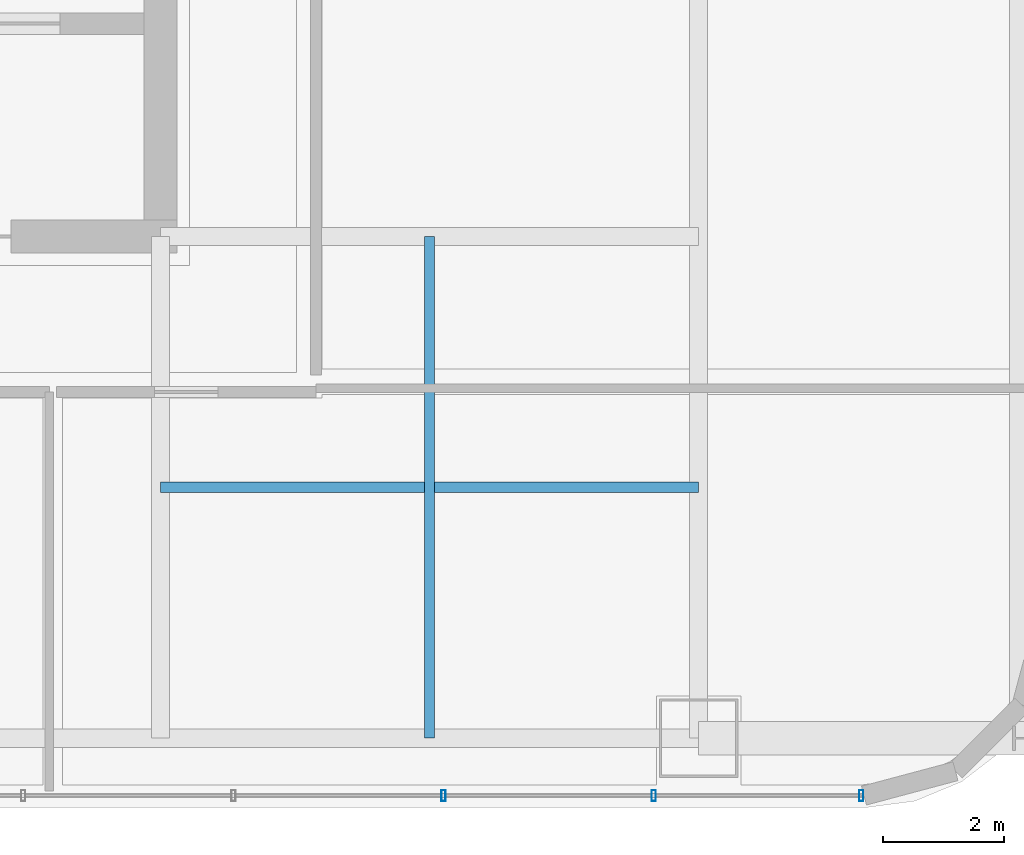
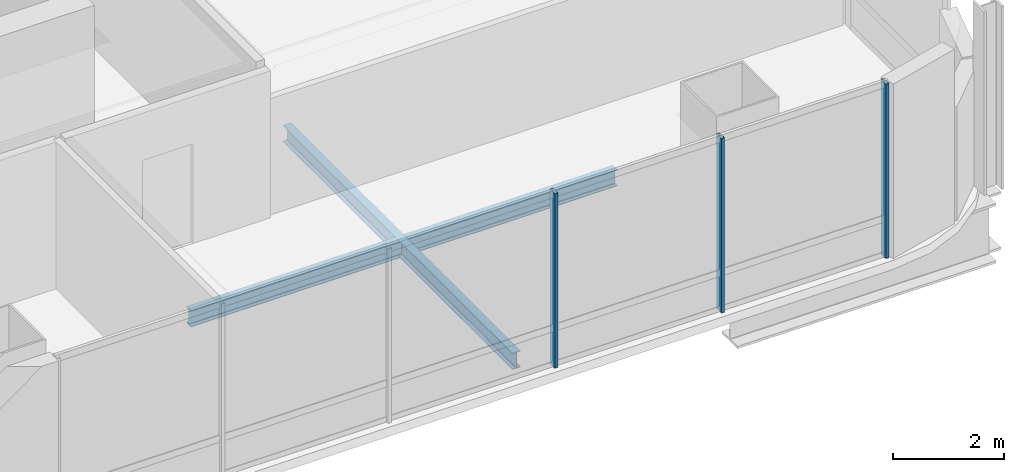
# One storey, part 12 of 44: 3 members, 2 beams, 1 element without a shape of its own.
"""IFC4 building model written with IfcOpenShell, lengths in metres."""

from ifc_helpers import new_model, si_unit, direction, frame, origin, origin_2d, place, context, subcontext, project, spatial, hollow_rectangle, i_section, extrude, material, material_profile, profile_set, type_object, element, aggregate, save


model = new_model("IFC4")

# Units and contexts
model_context = context("Model", 3, precision=1e-05, world=origin(), true_north=direction((0.0, 1.0)))
body_context = subcontext(model_context, "Body", "Model", "MODEL_VIEW")
ifc_project = project(units=[si_unit("LENGTHUNIT", "METRE"), si_unit("AREAUNIT", "SQUARE_METRE"), si_unit("VOLUMEUNIT", "CUBIC_METRE"), si_unit("PLANEANGLEUNIT", "RADIAN"), si_unit("MASSUNIT", "GRAM", prefix="KILO")], contexts=[model_context])

# Site, building, storey
site_placement = place(None, origin())
site = spatial("IfcSite", under=ifc_project, at=site_placement, CompositionType="ELEMENT")
building_placement = place(site_placement, origin())
building = spatial("IfcBuilding", under=site, at=building_placement, Name="Punatoya Terracotta Tower", CompositionType="ELEMENT")
storey_placement = place(building_placement, frame((0.0, 0.0, 267.60009765625)))
storey = spatial("IfcBuildingStorey", under=building, at=storey_placement, Name="L63", CompositionType="ELEMENT", Elevation=267.60009765625)

# Beams
ifc_material_1 = material(Name="Steel S355", Category="steel")
ifc_material_profile_1 = material_profile(ifc_material_1, i_section(OverallWidth=0.169921875, OverallDepth=0.360107421875, WebThickness=0.008056640625, FlangeThickness=0.0126953125, FilletRadius=0.01806640625, at=origin_2d()))
ifc_profile_set_1 = profile_set([ifc_material_profile_1], Name="Steel S355")
beam_type = type_object("IfcBeamType", Name="BM-SEC-360", PredefinedType="JOIST", material=ifc_profile_set_1)
beam_1_placement = place(storey_placement, frame((10.199951171875, -13.35009765625, -0.380126953125), z_axis=(1.0, 0.0, 0.0), x_axis=(0.0, 1.0, 0.0)))
element("IfcBeam", 1, at=beam_1_placement, inside=storey, type_object=beam_type, Name="BM-L63-SJS-2", PredefinedType="JOIST", context=body_context, shape_type="SweptSolid", body=[
    extrude(i_section(OverallWidth=0.169921875, OverallDepth=0.360107421875, WebThickness=0.008056640625, FlangeThickness=0.0126953125, FilletRadius=0.01806640625, at=origin_2d()), origin(), (0.0, 0.0, 1.0), 8.900146484375),
])
beam_2_placement = place(storey_placement, frame((14.64990234375, -17.5, -0.380126953125), z_axis=(0.0, 1.0, 0.0), x_axis=(-1.0, 0.0, 0.0)))
element("IfcBeam", 2, at=beam_2_placement, inside=storey, type_object=beam_type, Name="BM-L63-SJE-1", PredefinedType="JOIST", context=body_context, shape_type="SweptSolid", body=[
    extrude(i_section(OverallWidth=0.169921875, OverallDepth=0.360107421875, WebThickness=0.008056640625, FlangeThickness=0.0126953125, FilletRadius=0.01806640625, at=origin_2d()), origin(), (0.0, 0.0, 1.0), 8.300048828125),
])

# Curtain wall, members
ifc_material_2 = material(Name="Aluminium 6063-T6 + Double Low-E Glass", Category="aluminium")
curtain_wall_type = type_object("IfcCurtainWallType", Name="CW-M3", PredefinedType="NOTDEFINED", material=ifc_material_2)
curtain_wall_placement = place(storey_placement, origin())
curtain_wall = element("IfcCurtainWall", 3, at=curtain_wall_placement, inside=storey, type_object=curtain_wall_type, Name="L63 Curtain Wall CW-L63-S01-2", PredefinedType="NOTDEFINED")
ifc_material_3 = material(Name="Aluminium 6063-T6", Category="aluminium")
ifc_material_profile_2 = material_profile(ifc_material_3, hollow_rectangle(XDim=0.070068359375, YDim=0.179931640625, WallThickness=0.00390625, at=origin_2d()))
ifc_profile_set_2 = profile_set([ifc_material_profile_2], Name="Aluminium 6063-T6")
member_type = type_object("IfcMemberType", Name="CW-MUL-M3", PredefinedType="MULLION", material=ifc_profile_set_2)
member_1_placement = place(storey_placement, frame((14.882080078125, -18.449951171875, 0.0), z_axis=(0.0, 0.0, 1.0), x_axis=(1.0, 0.0, 0.0)))
member_1 = element("IfcMember", 4, at=member_1_placement, type_object=member_type, Name="CW-L63-S01-2 Mullion 03", PredefinedType="MULLION", context=body_context, shape_type="SweptSolid", body=[
    extrude(hollow_rectangle(XDim=0.070068359375, YDim=0.179931640625, WallThickness=0.00390625, at=origin_2d()), origin(), (0.0, 0.0, 1.0), 3.849853515625),
])
member_2_placement = place(storey_placement, frame((18.359619140625, -18.449951171875, 0.0), z_axis=(0.0, 0.0, 1.0), x_axis=(1.0, 0.0, 0.0)))
member_2 = element("IfcMember", 5, at=member_2_placement, type_object=member_type, Name="CW-L63-S01-2 Mullion 04", PredefinedType="MULLION", context=body_context, shape_type="SweptSolid", body=[
    extrude(hollow_rectangle(XDim=0.070068359375, YDim=0.179931640625, WallThickness=0.00390625, at=origin_2d()), origin(), (0.0, 0.0, 1.0), 3.849853515625),
])
member_3_placement = place(storey_placement, frame((21.7919921875, -18.449951171875, 0.0), z_axis=(0.0, 0.0, 1.0), x_axis=(1.0, 0.0, 0.0)))
member_3 = element("IfcMember", 6, at=member_3_placement, type_object=member_type, Name="CW-L63-S01-2 Mullion 05", PredefinedType="MULLION", context=body_context, shape_type="SweptSolid", body=[
    extrude(hollow_rectangle(XDim=0.070068359375, YDim=0.179931640625, WallThickness=0.00390625, at=origin_2d()), origin(), (0.0, 0.0, 1.0), 3.849853515625),
])
aggregate(curtain_wall, [member_1, member_2, member_3])

save(model, "model.ifc")
